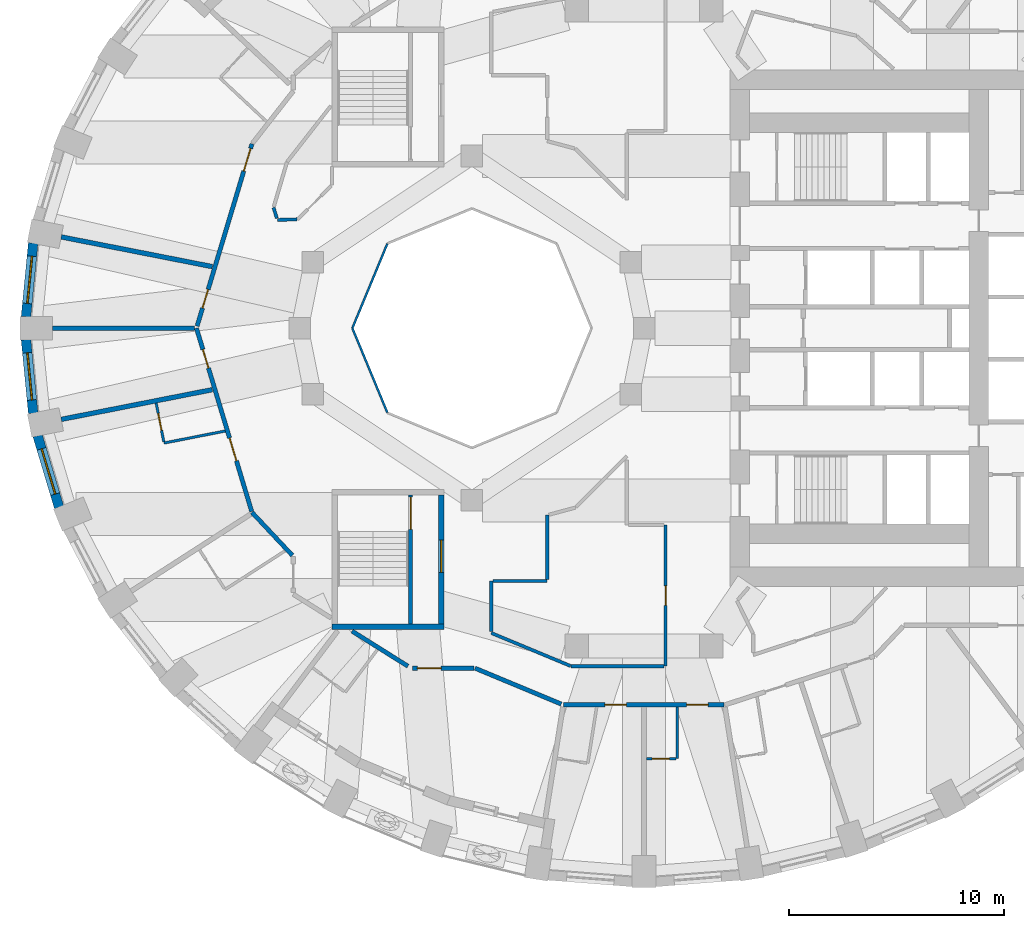
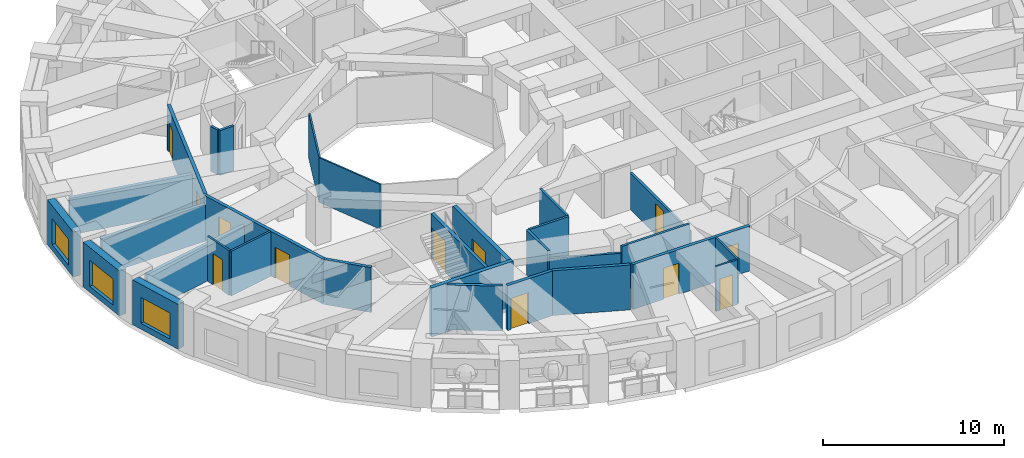
# One storey, part 4 of 13: 30 walls, 12 doors, 3 windows, 15 openings.
"""IFC4 building model written with IfcOpenShell, lengths in metres."""

from ifc_helpers import new_model, si_unit, direction, frame, frame_2d, origin, place, context, subcontext, project, spatial, rectangle, extrude, material, layer, layer_set, type_object, element, fill, save


model = new_model("IFC4")

# Units and contexts
model_context = context("Model", 3, precision=1e-05, world=origin(), true_north=direction((0.0, 1.0)))
body_context = subcontext(model_context, "Body", "Model", "MODEL_VIEW")
ifc_project = project(units=[si_unit("LENGTHUNIT", "METRE"), si_unit("AREAUNIT", "SQUARE_METRE"), si_unit("VOLUMEUNIT", "CUBIC_METRE"), si_unit("PLANEANGLEUNIT", "RADIAN"), si_unit("MASSUNIT", "GRAM", prefix="KILO")], contexts=[model_context])

# Site, building, storey
site_placement = place(None, origin())
site = spatial("IfcSite", under=ifc_project, at=site_placement, CompositionType="ELEMENT")
building_placement = place(site_placement, origin())
building = spatial("IfcBuilding", under=site, at=building_placement, Name="Taillehof Tower", CompositionType="ELEMENT")
storey_placement = place(building_placement, frame((0.0, 0.0, 44.800048828125)))
storey = spatial("IfcBuildingStorey", under=building, at=storey_placement, Name="L11", CompositionType="ELEMENT", Elevation=44.800048828125)

# Walls
ifc_material_1 = material(Name="Fire-resisting glass in steel frame", Category="steel")
ifc_layer_1 = layer(ifc_material_1, 0.10009765625)
ifc_layer_set_1 = layer_set([ifc_layer_1], Name="Atrium fire-resisting screen EI 60 100")
wall_type_1 = type_object("IfcWallType", Name="Atrium fire-resisting screen EI 60 100", PredefinedType="PARTITIONING", material=ifc_layer_set_1)
for number, where, z_axis, x_axis, name in (
    (1, (-11.92724609375, -3.92724609375, 0.0), (0.0, 0.0, 1.0), (-0.382730523909, 0.923860025149, 0.0), "Atrium screen"),
    (2, (-13.55419921875, 0.0, 0.0), (0.0, 0.0, 1.0), (0.382730523909, 0.923860025149, 0.0), "Atrium screen"),
):
    element("IfcWall", number, at=place(storey_placement, frame(where, z_axis=z_axis, x_axis=x_axis)), inside=storey, type_object=wall_type_1, Name=name, PredefinedType="PARTITIONING", context=body_context, shape_type="SweptSolid", body=[
        extrude(rectangle(XDim=4.2509765625, YDim=0.10009765625, at=frame_2d((2.12548828125, 0.0))), origin(), (0.0, 0.0, 1.0), 3.02001953125),
    ])

# Wall, opening, window
ifc_material_2 = material(Name="Brick masonry", Category="masonry")
ifc_layer_2 = layer(ifc_material_2, 0.449951171875)
ifc_layer_set_2 = layer_set([ifc_layer_2], Name="Brick infill wall 450")
wall_type_2 = type_object("IfcWallType", Name="Brick infill wall 450", PredefinedType="SOLIDWALL", material=ifc_layer_set_2)
wall_1_placement = place(storey_placement, frame((-28.38671875, 3.95556640625, 0.0), z_axis=(0.0, 0.0, 1.0), x_axis=(-0.097389581596, -0.995246336038, 0.0)))
wall_1 = element("IfcWall", 3, at=wall_1_placement, inside=storey, type_object=wall_type_2, Name="Brick wall L11 bay 18", PredefinedType="SOLIDWALL", context=body_context, shape_type="SweptSolid", body=[
    extrude(rectangle(XDim=3.44189453125, YDim=0.449951171875, at=frame_2d((1.720947265625, 0.0))), origin(), (0.0, 0.0, 1.0), 3.02001953125),
])
opening_1_placement = place(wall_1_placement, frame((0.62109375, 0.0, 0.39990234375)))
opening_1 = element("IfcOpeningElement", 4, at=opening_1_placement, cuts=wall_1, Name="Opening W1", PredefinedType="OPENING", context=body_context, shape_type="SweptSolid", body=[
    extrude(rectangle(XDim=2.199951171875, YDim=1.75, at=frame_2d((1.10009765625, 0.875))), frame((0.0, 0.23486328125, 0.0), z_axis=(0.0, -1.0, 0.0), x_axis=(1.0, 0.0, 0.0)), (0.0, 0.0, 1.0), 0.469970703125),
])
ifc_material_3 = material(Name="Aluminium window frame with clear double glazing", Category="aluminium")
window_type = type_object("IfcWindowType", Name="Deep-set window 2200x1750", PartitioningType="SINGLE_PANEL", PredefinedType="WINDOW", material=ifc_material_3)
window_1_placement = place(opening_1_placement, origin())
window_1 = element("IfcWindow", 5, at=window_1_placement, inside=storey, type_object=window_type, Name="W1", OverallHeight=1.75, OverallWidth=2.199951171875, PartitioningType="SINGLE_PANEL", PredefinedType="WINDOW", context=body_context, shape_type="SweptSolid", body=[
    extrude(rectangle(XDim=2.199951171875, YDim=1.75, at=frame_2d((1.10009765625, 0.875))), frame((0.0, 0.034912109375, 0.0), z_axis=(0.0, -1.0, 0.0), x_axis=(1.0, 0.0, 0.0)), (0.0, 0.0, 1.0), 0.06005859375),
])
fill(opening_1, window_1)

wall_2_placement = place(storey_placement, frame((-28.721923828125, -0.530029296875, 0.0), z_axis=(0.0, 0.0, 1.0), x_axis=(0.097389581596, -0.995246336038, 0.0)))
wall_2 = element("IfcWall", 6, at=wall_2_placement, inside=storey, type_object=wall_type_2, Name="Brick wall L11 bay 19", PredefinedType="SOLIDWALL", context=body_context, shape_type="SweptSolid", body=[
    extrude(rectangle(XDim=3.44189453125, YDim=0.449951171875, at=frame_2d((1.720947265625, 0.0))), origin(), (0.0, 0.0, 1.0), 3.02001953125),
])
opening_2_placement = place(wall_2_placement, frame((0.62109375, 0.0, 0.39990234375)))
opening_2 = element("IfcOpeningElement", 7, at=opening_2_placement, cuts=wall_2, Name="Opening W1", PredefinedType="OPENING", context=body_context, shape_type="SweptSolid", body=[
    extrude(rectangle(XDim=2.199951171875, YDim=1.75, at=frame_2d((1.10009765625, 0.875))), frame((0.0, 0.23486328125, 0.0), z_axis=(0.0, -1.0, 0.0), x_axis=(1.0, 0.0, 0.0)), (0.0, 0.0, 1.0), 0.469970703125),
])
window_2_placement = place(opening_2_placement, origin())
window_2 = element("IfcWindow", 8, at=window_2_placement, inside=storey, type_object=window_type, Name="W1", OverallHeight=1.75, OverallWidth=2.199951171875, PartitioningType="SINGLE_PANEL", PredefinedType="WINDOW", context=body_context, shape_type="SweptSolid", body=[
    extrude(rectangle(XDim=2.199951171875, YDim=1.75, at=frame_2d((1.10009765625, 0.875))), frame((0.0, 0.034912109375, 0.0), z_axis=(0.0, -1.0, 0.0), x_axis=(1.0, 0.0, 0.0)), (0.0, 0.0, 1.0), 0.06005859375),
])
fill(opening_2, window_2)

wall_3_placement = place(storey_placement, frame((-28.181884765625, -4.995849609375, 0.0), z_axis=(0.0, 0.0, 1.0), x_axis=(0.287064133733, -0.957911364963, 0.0)))
wall_3 = element("IfcWall", 9, at=wall_3_placement, inside=storey, type_object=wall_type_2, Name="Brick wall L11 bay 20", PredefinedType="SOLIDWALL", context=body_context, shape_type="SweptSolid", body=[
    extrude(rectangle(XDim=3.473388671875, YDim=0.449951171875, at=frame_2d((1.73681640625, 0.0))), origin(), (0.0, 0.0, 1.0), 3.02001953125),
])
opening_3_placement = place(wall_3_placement, frame((0.63671875, 0.0, 0.39990234375)))
opening_3 = element("IfcOpeningElement", 10, at=opening_3_placement, cuts=wall_3, Name="Opening W1", PredefinedType="OPENING", context=body_context, shape_type="SweptSolid", body=[
    extrude(rectangle(XDim=2.199951171875, YDim=1.75, at=frame_2d((1.10009765625, 0.875))), frame((0.0, 0.23486328125, 0.0), z_axis=(0.0, -1.0, 0.0), x_axis=(1.0, 0.0, 0.0)), (0.0, 0.0, 1.0), 0.469970703125),
])
window_3_placement = place(opening_3_placement, origin())
window_3 = element("IfcWindow", 11, at=window_3_placement, inside=storey, type_object=window_type, Name="W1", OverallHeight=1.75, OverallWidth=2.199951171875, PartitioningType="SINGLE_PANEL", PredefinedType="WINDOW", context=body_context, shape_type="SweptSolid", body=[
    extrude(rectangle(XDim=2.199951171875, YDim=1.75, at=frame_2d((1.10009765625, 0.875))), frame((0.0, 0.034912109375, 0.0), z_axis=(0.0, -1.0, 0.0), x_axis=(1.0, 0.0, 0.0)), (0.0, 0.0, 1.0), 0.06005859375),
])
fill(opening_3, window_3)

# Wall
ifc_material_4 = material(Name="Gypsum board on steel studs, two layers each side", Category="steel")
ifc_layer_3 = layer(ifc_material_4, 0.199951171875)
ifc_layer_set_3 = layer_set([ifc_layer_3], Name="Compartment wall corridor 200")
wall_type_3 = type_object("IfcWallType", Name="Compartment wall corridor 200", PredefinedType="PARTITIONING", material=ifc_layer_set_3)
wall_4_placement = place(storey_placement, frame((-16.341064453125, -10.5625, 0.0), z_axis=(0.0, 0.0, 1.0), x_axis=(-0.684393472021, 0.729112868803, 0.0)))
element("IfcWall", 12, at=wall_4_placement, inside=storey, type_object=wall_type_3, Name="Compartment wall", PredefinedType="PARTITIONING", context=body_context, shape_type="SweptSolid", body=[
    extrude(rectangle(XDim=2.74609375, YDim=0.199951171875, at=frame_2d((1.373046875, 0.0))), origin(), (0.0, 0.0, 1.0), 3.02001953125),
])

# Wall, openings, doors
wall_5_placement = place(storey_placement, frame((-18.232177734375, -8.522216796875, 0.0), z_axis=(0.0, 0.0, 1.0), x_axis=(-0.288502732396, 0.957479072043, 0.0)))
wall_5 = element("IfcWall", 13, at=wall_5_placement, inside=storey, type_object=wall_type_3, Name="Compartment wall", PredefinedType="PARTITIONING", context=body_context, shape_type="SweptSolid", body=[
    extrude(rectangle(XDim=8.900634765625, YDim=0.199951171875, at=frame_2d((4.4501953125, 0.0))), origin(), (0.0, 0.0, 1.0), 3.02001953125),
])
opening_4_placement = place(wall_5_placement, frame((6.96484375, 0.0, 0.0)))
opening_4 = element("IfcOpeningElement", 14, at=opening_4_placement, cuts=wall_5, Name="Opening D1151", PredefinedType="OPENING", context=body_context, shape_type="SweptSolid", body=[
    extrude(rectangle(XDim=0.89990234375, YDim=2.10009765625, at=frame_2d((0.449951171875, 1.050048828125))), frame((0.0, 0.10986328125, 0.0), z_axis=(0.0, -1.0, 0.0), x_axis=(1.0, 0.0, 0.0)), (0.0, 0.0, 1.0), 0.219970703125),
])
opening_5_placement = place(wall_5_placement, frame((2.46533203125, 0.0, 0.0)))
opening_5 = element("IfcOpeningElement", 15, at=opening_5_placement, cuts=wall_5, Name="Opening D1152", PredefinedType="OPENING", context=body_context, shape_type="SweptSolid", body=[
    extrude(rectangle(XDim=1.10009765625, YDim=2.10009765625, at=frame_2d((0.550048828125, 1.050048828125))), frame((0.0, 0.10986328125, 0.0), z_axis=(0.0, -1.0, 0.0), x_axis=(1.0, 0.0, 0.0)), (0.0, 0.0, 1.0), 0.219970703125),
])
ifc_material_5 = material(Name="Timber door leaf in steel frame", Category="steel")
door_type_1 = type_object("IfcDoorType", Name="Service room door EI 30 900 x 2100", OperationType="SINGLE_SWING_LEFT", PredefinedType="DOOR", material=ifc_material_5)
door_1_placement = place(opening_4_placement, origin())
door_1 = element("IfcDoor", 16, at=door_1_placement, inside=storey, type_object=door_type_1, Name="D1151", OperationType="SINGLE_SWING_LEFT", OverallHeight=2.10009765625, OverallWidth=0.89990234375, PredefinedType="DOOR", context=body_context, shape_type="SweptSolid", body=[
    extrude(rectangle(XDim=0.89990234375, YDim=2.10009765625, at=frame_2d((0.449951171875, 1.050048828125))), frame((0.0, 0.02490234375, 0.0), z_axis=(0.0, -1.0, 0.0), x_axis=(1.0, 0.0, 0.0)), (0.0, 0.0, 1.0), 0.050048828125),
])
fill(opening_4, door_1)
ifc_material_6 = material(Name="Timber door leaf in steel frame", Category="steel")
door_type_2 = type_object("IfcDoorType", Name="Suite entrance door EI 30 1100 x 2100", OperationType="SINGLE_SWING_LEFT", PredefinedType="DOOR", material=ifc_material_6)
door_2_placement = place(opening_5_placement, origin())
door_2 = element("IfcDoor", 17, at=door_2_placement, inside=storey, type_object=door_type_2, Name="D1152", OperationType="SINGLE_SWING_RIGHT", OverallHeight=2.10009765625, OverallWidth=1.10009765625, PredefinedType="DOOR", context=body_context, shape_type="SweptSolid", body=[
    extrude(rectangle(XDim=1.10009765625, YDim=2.10009765625, at=frame_2d((0.550048828125, 1.050048828125))), frame((0.0, 0.02490234375, 0.0), z_axis=(0.0, -1.0, 0.0), x_axis=(1.0, 0.0, 0.0)), (0.0, 0.0, 1.0), 0.050048828125),
])
fill(opening_5, door_2)

wall_6_placement = place(storey_placement, frame((-20.770751953125, 0.09521484375, 0.0), z_axis=(0.0, 0.0, 1.0), x_axis=(0.288464952331, 0.957490454927, 0.0)))
wall_6 = element("IfcWall", 18, at=wall_6_placement, inside=storey, type_object=wall_type_3, Name="Compartment wall", PredefinedType="PARTITIONING", context=body_context, shape_type="SweptSolid", body=[
    extrude(rectangle(XDim=8.8408203125, YDim=0.199951171875, at=frame_2d((4.42041015625, 0.0))), origin(), (0.0, 0.0, 1.0), 3.02001953125),
])
opening_6_placement = place(wall_6_placement, frame((7.52099609375, 0.0, 0.0)))
opening_6 = element("IfcOpeningElement", 19, at=opening_6_placement, cuts=wall_6, Name="Opening D1148", PredefinedType="OPENING", context=body_context, shape_type="SweptSolid", body=[
    extrude(rectangle(XDim=1.10009765625, YDim=2.10009765625, at=frame_2d((0.550048828125, 1.050048828125))), frame((0.0, 0.10986328125, 0.0), z_axis=(0.0, -1.0, 0.0), x_axis=(1.0, 0.0, 0.0)), (0.0, 0.0, 1.0), 0.219970703125),
])
opening_7_placement = place(wall_6_placement, frame((0.876708984375, 0.0, 0.0)))
opening_7 = element("IfcOpeningElement", 20, at=opening_7_placement, cuts=wall_6, Name="Opening D1150", PredefinedType="OPENING", context=body_context, shape_type="SweptSolid", body=[
    extrude(rectangle(XDim=0.89990234375, YDim=2.10009765625, at=frame_2d((0.449951171875, 1.050048828125))), frame((0.0, 0.10986328125, 0.0), z_axis=(0.0, -1.0, 0.0), x_axis=(1.0, 0.0, 0.0)), (0.0, 0.0, 1.0), 0.219970703125),
])
door_3_placement = place(opening_7_placement, origin())
door_3 = element("IfcDoor", 21, at=door_3_placement, inside=storey, type_object=door_type_1, Name="D1150", OperationType="SINGLE_SWING_LEFT", OverallHeight=2.10009765625, OverallWidth=0.89990234375, PredefinedType="DOOR", context=body_context, shape_type="SweptSolid", body=[
    extrude(rectangle(XDim=0.89990234375, YDim=2.10009765625, at=frame_2d((0.449951171875, 1.050048828125))), frame((0.0, 0.02490234375, 0.0), z_axis=(0.0, -1.0, 0.0), x_axis=(1.0, 0.0, 0.0)), (0.0, 0.0, 1.0), 0.050048828125),
])
fill(opening_7, door_3)
door_4_placement = place(opening_6_placement, origin())
door_4 = element("IfcDoor", 22, at=door_4_placement, inside=storey, type_object=door_type_2, Name="D1148", OperationType="SINGLE_SWING_RIGHT", OverallHeight=2.10009765625, OverallWidth=1.10009765625, PredefinedType="DOOR", context=body_context, shape_type="SweptSolid", body=[
    extrude(rectangle(XDim=1.10009765625, YDim=2.10009765625, at=frame_2d((0.550048828125, 1.050048828125))), frame((0.0, 0.02490234375, 0.0), z_axis=(0.0, -1.0, 0.0), x_axis=(1.0, 0.0, 0.0)), (0.0, 0.0, 1.0), 0.050048828125),
])
fill(opening_6, door_4)

wall_7_placement = place(storey_placement, frame((3.71533203125, -17.505615234375, 0.0), z_axis=(0.0, 0.0, 1.0), x_axis=(-1.0, 0.0, 0.0)))
wall_7 = element("IfcWall", 23, at=wall_7_placement, inside=storey, type_object=wall_type_3, Name="Compartment wall", PredefinedType="PARTITIONING", context=body_context, shape_type="SweptSolid", body=[
    extrude(rectangle(XDim=7.470703125, YDim=0.199951171875, at=frame_2d((3.7353515625, 0.0))), origin(), (0.0, 0.0, 1.0), 3.02001953125),
])
opening_8_placement = place(wall_7_placement, frame((4.537841796875, 0.0, 0.0)))
opening_8 = element("IfcOpeningElement", 24, at=opening_8_placement, cuts=wall_7, Name="Opening D1158", PredefinedType="OPENING", context=body_context, shape_type="SweptSolid", body=[
    extrude(rectangle(XDim=1.0, YDim=2.10009765625, at=frame_2d((0.5, 1.050048828125))), frame((0.0, 0.10986328125, 0.0), z_axis=(0.0, -1.0, 0.0), x_axis=(1.0, 0.0, 0.0)), (0.0, 0.0, 1.0), 0.219970703125),
])
opening_9_placement = place(wall_7_placement, frame((0.743408203125, 0.0, 0.0)))
opening_9 = element("IfcOpeningElement", 25, at=opening_9_placement, cuts=wall_7, Name="Opening D1160", PredefinedType="OPENING", context=body_context, shape_type="SweptSolid", body=[
    extrude(rectangle(XDim=1.0, YDim=2.10009765625, at=frame_2d((0.5, 1.050048828125))), frame((0.0, 0.10986328125, 0.0), z_axis=(0.0, -1.0, 0.0), x_axis=(1.0, 0.0, 0.0)), (0.0, 0.0, 1.0), 0.219970703125),
])
ifc_material_7 = material(Name="Timber door leaf in steel frame", Category="steel")
door_type_3 = type_object("IfcDoorType", Name="Guest room door EI 30 1000 x 2100", OperationType="SINGLE_SWING_LEFT", PredefinedType="DOOR", material=ifc_material_7)
door_5_placement = place(opening_8_placement, origin())
door_5 = element("IfcDoor", 26, at=door_5_placement, inside=storey, type_object=door_type_3, Name="D1158", OperationType="SINGLE_SWING_RIGHT", OverallHeight=2.10009765625, OverallWidth=1.0, PredefinedType="DOOR", context=body_context, shape_type="SweptSolid", body=[
    extrude(rectangle(XDim=1.0, YDim=2.10009765625, at=frame_2d((0.5, 1.050048828125))), frame((0.0, 0.02490234375, 0.0), z_axis=(0.0, -1.0, 0.0), x_axis=(1.0, 0.0, 0.0)), (0.0, 0.0, 1.0), 0.050048828125),
])
fill(opening_8, door_5)
door_6_placement = place(opening_9_placement, origin())
door_6 = element("IfcDoor", 27, at=door_6_placement, inside=storey, type_object=door_type_3, Name="D1160", OperationType="SINGLE_SWING_RIGHT", OverallHeight=2.10009765625, OverallWidth=1.0, PredefinedType="DOOR", context=body_context, shape_type="SweptSolid", body=[
    extrude(rectangle(XDim=1.0, YDim=2.10009765625, at=frame_2d((0.5, 1.050048828125))), frame((0.0, 0.02490234375, 0.0), z_axis=(0.0, -1.0, 0.0), x_axis=(1.0, 0.0, 0.0)), (0.0, 0.0, 1.0), 0.050048828125),
])
fill(opening_9, door_6)

# Wall
wall_8_placement = place(storey_placement, frame((-3.84814453125, -17.4677734375, 0.0), z_axis=(0.0, 0.0, 1.0), x_axis=(-0.923248226412, 0.384203998454, 0.0)))
element("IfcWall", 28, at=wall_8_placement, inside=storey, type_object=wall_type_3, Name="Compartment wall", PredefinedType="PARTITIONING", context=body_context, shape_type="SweptSolid", body=[
    extrude(rectangle(XDim=4.3408203125, YDim=0.199951171875, at=frame_2d((2.17041015625, 0.0))), origin(), (0.0, 0.0, 1.0), 3.02001953125),
])

# Wall, opening, door
wall_9_placement = place(storey_placement, frame((-7.895751953125, -15.800048828125, 0.0), z_axis=(0.0, 0.0, 1.0), x_axis=(-1.0, 0.0, 0.0)))
wall_9 = element("IfcWall", 29, at=wall_9_placement, inside=storey, type_object=wall_type_3, Name="Compartment wall", PredefinedType="PARTITIONING", context=body_context, shape_type="SweptSolid", body=[
    extrude(rectangle(XDim=2.857666015625, YDim=0.199951171875, at=frame_2d((1.4287109375, 0.0))), origin(), (0.0, 0.0, 1.0), 3.02001953125),
])
opening_10_placement = place(wall_9_placement, frame((1.53759765625, 0.0, 0.0)))
opening_10 = element("IfcOpeningElement", 30, at=opening_10_placement, cuts=wall_9, Name="Opening D1156", PredefinedType="OPENING", context=body_context, shape_type="SweptSolid", body=[
    extrude(rectangle(XDim=1.10009765625, YDim=2.10009765625, at=frame_2d((0.550048828125, 1.050048828125))), frame((0.0, 0.10986328125, 0.0), z_axis=(0.0, -1.0, 0.0), x_axis=(1.0, 0.0, 0.0)), (0.0, 0.0, 1.0), 0.219970703125),
])
door_7_placement = place(opening_10_placement, origin())
door_7 = element("IfcDoor", 31, at=door_7_placement, inside=storey, type_object=door_type_2, Name="D1156", OperationType="SINGLE_SWING_LEFT", OverallHeight=2.10009765625, OverallWidth=1.10009765625, PredefinedType="DOOR", context=body_context, shape_type="SweptSolid", body=[
    extrude(rectangle(XDim=1.10009765625, YDim=2.10009765625, at=frame_2d((0.550048828125, 1.050048828125))), frame((0.0, 0.02490234375, 0.0), z_axis=(0.0, -1.0, 0.0), x_axis=(1.0, 0.0, 0.0)), (0.0, 0.0, 1.0), 0.050048828125),
])
fill(opening_10, door_7)

# Walls
wall_10_placement = place(storey_placement, frame((-10.972412109375, -15.70849609375, 0.0), z_axis=(0.0, 0.0, 1.0), x_axis=(-0.846954991261, 0.53166459613, 0.0)))
element("IfcWall", 32, at=wall_10_placement, inside=storey, type_object=wall_type_3, Name="Compartment wall", PredefinedType="PARTITIONING", context=body_context, shape_type="SweptSolid", body=[
    extrude(rectangle(XDim=3.06787109375, YDim=0.199951171875, at=frame_2d((1.533935546875, 0.0))), origin(), (0.0, 0.0, 1.0), 3.02001953125),
])
ifc_material_8 = material(Name="Gypsum board on double steel studs with mineral wool", Category="steel")
ifc_layer_4 = layer(ifc_material_8, 0.219970703125)
ifc_layer_set_4 = layer_set([ifc_layer_4], Name="Compartment wall guest room 220")
wall_type_4 = type_object("IfcWallType", Name="Compartment wall guest room 220", PredefinedType="PARTITIONING", material=ifc_layer_set_4)
wall_11_placement = place(storey_placement, frame((-27.0849609375, 4.239990234375, 0.0), z_axis=(0.0, 0.0, 1.0), x_axis=(0.981197740145, -0.193005167635, 0.0)))
element("IfcWall", 33, at=wall_11_placement, inside=storey, type_object=wall_type_4, Name="Compartment wall", PredefinedType="PARTITIONING", context=body_context, shape_type="SweptSolid", body=[
    extrude(rectangle(XDim=7.15576171875, YDim=0.219970703125, at=frame_2d((3.577880859375, 0.0))), origin(), (0.0, 0.0, 1.0), 2.469970703125),
])
wall_12_placement = place(storey_placement, frame((-27.5, 0.0, 0.0), z_axis=(0.0, 0.0, 1.0), x_axis=(1.0, 0.0, 0.0)))
element("IfcWall", 34, at=wall_12_placement, inside=storey, type_object=wall_type_4, Name="Compartment wall", PredefinedType="PARTITIONING", context=body_context, shape_type="SweptSolid", body=[
    extrude(rectangle(XDim=6.599853515625, YDim=0.219970703125, at=frame_2d((3.2998046875, 0.0))), origin(), (0.0, 0.0, 1.0), 2.469970703125),
])
wall_13_placement = place(storey_placement, frame((-27.0849609375, -4.239990234375, 0.0), z_axis=(0.0, 0.0, 1.0), x_axis=(0.981197740145, 0.193005167635, 0.0)))
element("IfcWall", 35, at=wall_13_placement, inside=storey, type_object=wall_type_4, Name="Compartment wall", PredefinedType="PARTITIONING", context=body_context, shape_type="SweptSolid", body=[
    extrude(rectangle(XDim=7.15576171875, YDim=0.219970703125, at=frame_2d((3.577880859375, 0.0))), origin(), (0.0, 0.0, 1.0), 2.469970703125),
])
ifc_material_9 = material(Name="Gypsum board on steel studs, two layers each side", Category="steel")
ifc_layer_5 = layer(ifc_material_9, 0.14990234375)
ifc_layer_set_5 = layer_set([ifc_layer_5], Name="Compartment wall service room 150")
wall_type_5 = type_object("IfcWallType", Name="Compartment wall service room 150", PredefinedType="PARTITIONING", material=ifc_layer_set_5)
wall_14_placement = place(storey_placement, frame((-16.13427734375, 5.056884765625, 0.0), z_axis=(0.0, 0.0, 1.0), x_axis=(-0.999529504487, -0.030671968644, 0.0)))
element("IfcWall", 36, at=wall_14_placement, inside=storey, type_object=wall_type_5, Name="Compartment wall", PredefinedType="PARTITIONING", context=body_context, shape_type="SweptSolid", body=[
    extrude(rectangle(XDim=0.907470703125, YDim=0.14990234375, at=frame_2d((0.45361328125, 0.0))), origin(), (0.0, 0.0, 1.0), 3.02001953125),
])
wall_15_placement = place(storey_placement, frame((-17.064697265625, 5.105224609375, 0.0), z_axis=(0.0, 0.0, 1.0), x_axis=(-0.291495658108, 0.956572151646, 0.0)))
element("IfcWall", 37, at=wall_15_placement, inside=storey, type_object=wall_type_5, Name="Compartment wall", PredefinedType="PARTITIONING", context=body_context, shape_type="SweptSolid", body=[
    extrude(rectangle(XDim=0.5234375, YDim=0.14990234375, at=frame_2d((0.26171875, 0.0))), origin(), (0.0, 0.0, 1.0), 3.02001953125),
])

# Wall, opening, door
wall_16_placement = place(storey_placement, frame((1.0, -9.14990234375, 0.0), z_axis=(0.0, 0.0, 1.0), x_axis=(0.0, -1.0, 0.0)))
wall_16 = element("IfcWall", 38, at=wall_16_placement, inside=storey, type_object=wall_type_5, Name="Compartment wall", PredefinedType="PARTITIONING", context=body_context, shape_type="SweptSolid", body=[
    extrude(rectangle(XDim=6.5556640625, YDim=0.14990234375, at=frame_2d((3.27783203125, 0.0))), origin(), (0.0, 0.0, 1.0), 2.469970703125),
])
opening_11_placement = place(wall_16_placement, frame((2.827880859375, 0.0, 0.0)))
opening_11 = element("IfcOpeningElement", 39, at=opening_11_placement, cuts=wall_16, Name="Opening D1173", PredefinedType="OPENING", context=body_context, shape_type="SweptSolid", body=[
    extrude(rectangle(XDim=0.89990234375, YDim=2.10009765625, at=frame_2d((0.449951171875, 1.050048828125))), frame((0.0, 0.0849609375, 0.0), z_axis=(0.0, -1.0, 0.0), x_axis=(1.0, 0.0, 0.0)), (0.0, 0.0, 1.0), 0.169921875),
])
door_8_placement = place(opening_11_placement, origin())
door_8 = element("IfcDoor", 40, at=door_8_placement, inside=storey, type_object=door_type_1, Name="D1173", OperationType="SINGLE_SWING_LEFT", OverallHeight=2.10009765625, OverallWidth=0.89990234375, PredefinedType="DOOR", context=body_context, shape_type="SweptSolid", body=[
    extrude(rectangle(XDim=0.89990234375, YDim=2.10009765625, at=frame_2d((0.449951171875, 1.050048828125))), frame((0.0, 0.02490234375, 0.0), z_axis=(0.0, -1.0, 0.0), x_axis=(1.0, 0.0, 0.0)), (0.0, 0.0, 1.0), 0.050048828125),
])
fill(opening_11, door_8)

# Walls
wall_17_placement = place(storey_placement, frame((0.919921875, -15.70556640625, 0.0), z_axis=(0.0, 0.0, 1.0), x_axis=(-1.0, 0.0, 0.0)))
element("IfcWall", 41, at=wall_17_placement, inside=storey, type_object=wall_type_5, Name="Compartment wall", PredefinedType="PARTITIONING", context=body_context, shape_type="SweptSolid", body=[
    extrude(rectangle(XDim=4.31591796875, YDim=0.14990234375, at=frame_2d((2.157958984375, 0.0))), origin(), (0.0, 0.0, 1.0), 3.02001953125),
])
wall_18_placement = place(storey_placement, frame((-3.41455078125, -15.697998046875, 0.0), z_axis=(0.0, 0.0, 1.0), x_axis=(-0.923293917367, 0.38409418396, 0.0)))
element("IfcWall", 42, at=wall_18_placement, inside=storey, type_object=wall_type_5, Name="Compartment wall", PredefinedType="PARTITIONING", context=body_context, shape_type="SweptSolid", body=[
    extrude(rectangle(XDim=3.99169921875, YDim=0.14990234375, at=frame_2d((1.995849609375, 0.0))), origin(), (0.0, 0.0, 1.0), 2.570068359375),
])
wall_19_placement = place(storey_placement, frame((-7.10009765625, -14.104736328125, 0.0), z_axis=(0.0, 0.0, 1.0), x_axis=(0.0, 1.0, 0.0)))
element("IfcWall", 43, at=wall_19_placement, inside=storey, type_object=wall_type_5, Name="Compartment wall", PredefinedType="PARTITIONING", context=body_context, shape_type="SweptSolid", body=[
    extrude(rectangle(XDim=2.354736328125, YDim=0.14990234375, at=frame_2d((1.17724609375, 0.0))), origin(), (0.0, 0.0, 1.0), 3.02001953125),
])
wall_20_placement = place(storey_placement, frame((-7.02001953125, -11.75, 0.0), z_axis=(0.0, 0.0, 1.0), x_axis=(1.0, 0.0, 0.0)))
element("IfcWall", 44, at=wall_20_placement, inside=storey, type_object=wall_type_5, Name="Compartment wall", PredefinedType="PARTITIONING", context=body_context, shape_type="SweptSolid", body=[
    extrude(rectangle(XDim=2.52001953125, YDim=0.14990234375, at=frame_2d((1.260009765625, 0.0))), origin(), (0.0, 0.0, 1.0), 3.02001953125),
])
wall_21_placement = place(storey_placement, frame((-4.5, -11.669921875, 0.0), z_axis=(0.0, 0.0, 1.0), x_axis=(0.0, 1.0, 0.0)))
element("IfcWall", 45, at=wall_21_placement, inside=storey, type_object=wall_type_5, Name="Compartment wall", PredefinedType="PARTITIONING", context=body_context, shape_type="SweptSolid", body=[
    extrude(rectangle(XDim=2.979736328125, YDim=0.14990234375, at=frame_2d((1.48974609375, 0.0))), origin(), (0.0, 0.0, 1.0), 3.02001953125),
])
ifc_material_10 = material(Name="Gypsum board on steel studs, moisture resistant", Category="steel")
ifc_layer_6 = layer(ifc_material_10, 0.1201171875)
ifc_layer_set_6 = layer_set([ifc_layer_6], Name="En-suite wall 120")
wall_type_6 = type_object("IfcWallType", Name="En-suite wall 120", PredefinedType="PARTITIONING", material=ifc_layer_set_6)
wall_22_placement = place(storey_placement, frame((-19.46435546875, -4.779296875, 0.0), z_axis=(0.0, 0.0, 1.0), x_axis=(-0.981185297697, -0.193068411666, 0.0)))
element("IfcWall", 46, at=wall_22_placement, inside=storey, type_object=wall_type_6, Name="En-suite wall", PredefinedType="PARTITIONING", context=body_context, shape_type="SweptSolid", body=[
    extrude(rectangle(XDim=2.89697265625, YDim=0.1201171875, at=frame_2d((1.448486328125, 0.0))), origin(), (0.0, 0.0, 1.0), 3.02001953125),
])
wall_23_placement = place(storey_placement, frame((1.550048828125, -17.605712890625, 0.0), z_axis=(0.0, 0.0, 1.0), x_axis=(0.0, -1.0, 0.0)))
element("IfcWall", 47, at=wall_23_placement, inside=storey, type_object=wall_type_6, Name="En-suite wall", PredefinedType="PARTITIONING", context=body_context, shape_type="SweptSolid", body=[
    extrude(rectangle(XDim=2.39990234375, YDim=0.1201171875, at=frame_2d((1.199951171875, 0.0))), origin(), (0.0, 0.0, 1.0), 3.02001953125),
])

# Wall, opening, door
wall_24_placement = place(storey_placement, frame((-22.318359375, -5.27978515625, 0.0), z_axis=(0.0, 0.0, 1.0), x_axis=(-0.193036598643, 0.981191557029, 0.0)))
wall_24 = element("IfcWall", 48, at=wall_24_placement, inside=storey, type_object=wall_type_6, Name="En-suite wall", PredefinedType="PARTITIONING", context=body_context, shape_type="SweptSolid", body=[
    extrude(rectangle(XDim=1.830078125, YDim=0.1201171875, at=frame_2d((0.9150390625, 0.0))), origin(), (0.0, 0.0, 1.0), 3.02001953125),
])
opening_12_placement = place(wall_24_placement, frame((0.540283203125, 0.0, 0.0)))
opening_12 = element("IfcOpeningElement", 49, at=opening_12_placement, cuts=wall_24, Name="Opening D1153", PredefinedType="OPENING", context=body_context, shape_type="SweptSolid", body=[
    extrude(rectangle(XDim=0.800048828125, YDim=2.10009765625, at=frame_2d((0.39990234375, 1.050048828125))), frame((0.0, 0.070068359375, 0.0), z_axis=(0.0, -1.0, 0.0), x_axis=(1.0, 0.0, 0.0)), (0.0, 0.0, 1.0), 0.14013671875),
])
ifc_material_11 = material(Name="Timber door leaf in steel frame", Category="steel")
door_type_4 = type_object("IfcDoorType", Name="En-suite door 800 x 2100", OperationType="SINGLE_SWING_LEFT", PredefinedType="DOOR", material=ifc_material_11)
door_9_placement = place(opening_12_placement, origin())
door_9 = element("IfcDoor", 50, at=door_9_placement, inside=storey, type_object=door_type_4, Name="D1153", OperationType="SINGLE_SWING_RIGHT", OverallHeight=2.10009765625, OverallWidth=0.800048828125, PredefinedType="DOOR", context=body_context, shape_type="SweptSolid", body=[
    extrude(rectangle(XDim=0.800048828125, YDim=2.10009765625, at=frame_2d((0.39990234375, 1.050048828125))), frame((0.0, 0.02490234375, 0.0), z_axis=(0.0, -1.0, 0.0), x_axis=(1.0, 0.0, 0.0)), (0.0, 0.0, 1.0), 0.050048828125),
])
fill(opening_12, door_9)

wall_25_placement = place(storey_placement, frame((1.489990234375, -20.005615234375, 0.0), z_axis=(0.0, 0.0, 1.0), x_axis=(-1.0, 0.0, 0.0)))
wall_25 = element("IfcWall", 51, at=wall_25_placement, inside=storey, type_object=wall_type_6, Name="En-suite wall", PredefinedType="PARTITIONING", context=body_context, shape_type="SweptSolid", body=[
    extrude(rectangle(XDim=1.3798828125, YDim=0.1201171875, at=frame_2d((0.68994140625, 0.0))), origin(), (0.0, 0.0, 1.0), 3.02001953125),
])
opening_13_placement = place(wall_25_placement, frame((0.31494140625, 0.0, 0.0)))
opening_13 = element("IfcOpeningElement", 52, at=opening_13_placement, cuts=wall_25, Name="Opening D1161", PredefinedType="OPENING", context=body_context, shape_type="SweptSolid", body=[
    extrude(rectangle(XDim=0.800048828125, YDim=2.10009765625, at=frame_2d((0.39990234375, 1.050048828125))), frame((0.0, 0.070068359375, 0.0), z_axis=(0.0, -1.0, 0.0), x_axis=(1.0, 0.0, 0.0)), (0.0, 0.0, 1.0), 0.14013671875),
])
door_10_placement = place(opening_13_placement, origin())
door_10 = element("IfcDoor", 53, at=door_10_placement, inside=storey, type_object=door_type_4, Name="D1161", OperationType="SINGLE_SWING_RIGHT", OverallHeight=2.10009765625, OverallWidth=0.800048828125, PredefinedType="DOOR", context=body_context, shape_type="SweptSolid", body=[
    extrude(rectangle(XDim=0.800048828125, YDim=2.10009765625, at=frame_2d((0.39990234375, 1.050048828125))), frame((0.0, 0.02490234375, 0.0), z_axis=(0.0, -1.0, 0.0), x_axis=(1.0, 0.0, 0.0)), (0.0, 0.0, 1.0), 0.050048828125),
])
fill(opening_13, door_10)

ifc_material_12 = material(Name="Concrete C50/60", Category="concrete")
ifc_layer_7 = layer(ifc_material_12, 0.199951171875)
ifc_layer_set_7 = layer_set([ifc_layer_7], Name="Shaft wall C50/60 200")
wall_type_7 = type_object("IfcWallType", Name="Shaft wall C50/60 200", PredefinedType="SHEAR", material=ifc_layer_set_7)
wall_26_placement = place(storey_placement, frame((-10.85009765625, -13.75, 0.0), z_axis=(0.0, 0.0, 1.0), x_axis=(0.0, 1.0, 0.0)))
wall_26 = element("IfcWall", 54, at=wall_26_placement, inside=storey, type_object=wall_type_7, Name="Shaft wall SW", PredefinedType="SHEAR", context=body_context, shape_type="SweptSolid", body=[
    extrude(rectangle(XDim=6.0, YDim=0.199951171875, at=frame_2d((3.0, 0.0))), origin(), (0.0, 0.0, 1.0), 3.02001953125),
])
opening_14_placement = place(wall_26_placement, frame((4.39990234375, 0.0, 0.0)))
opening_14 = element("IfcOpeningElement", 55, at=opening_14_placement, cuts=wall_26, Name="Opening D1113", PredefinedType="OPENING", context=body_context, shape_type="SweptSolid", body=[
    extrude(rectangle(XDim=1.5, YDim=2.10009765625, at=frame_2d((0.75, 1.050048828125))), frame((0.0, 0.10986328125, 0.0), z_axis=(0.0, -1.0, 0.0), x_axis=(1.0, 0.0, 0.0)), (0.0, 0.0, 1.0), 0.219970703125),
])
ifc_material_13 = material(Name="Steel-faced fire door", Category="steel")
door_type_5 = type_object("IfcDoorType", Name="Stair door 1500x2100", OperationType="DOUBLE_DOOR_SINGLE_SWING", PredefinedType="DOOR", material=ifc_material_13)
door_11_placement = place(opening_14_placement, origin())
door_11 = element("IfcDoor", 56, at=door_11_placement, inside=storey, type_object=door_type_5, Name="Stair lobby door S4", OperationType="DOUBLE_DOOR_SINGLE_SWING", OverallHeight=2.10009765625, OverallWidth=1.5, PredefinedType="DOOR", context=body_context, shape_type="SweptSolid", body=[
    extrude(rectangle(XDim=1.5, YDim=2.10009765625, at=frame_2d((0.75, 1.050048828125))), frame((0.0, 0.02490234375, 0.0), z_axis=(0.0, -1.0, 0.0), x_axis=(1.0, 0.0, 0.0)), (0.0, 0.0, 1.0), 0.050048828125),
])
fill(opening_14, door_11)

ifc_material_14 = material(Name="Concrete C50/60", Category="concrete")
ifc_layer_8 = layer(ifc_material_14, 0.25)
ifc_layer_set_8 = layer_set([ifc_layer_8], Name="Stair wall C50/60 250")
wall_type_8 = type_object("IfcWallType", Name="Stair wall C50/60 250", PredefinedType="SHEAR", material=ifc_layer_set_8)
wall_27_placement = place(storey_placement, frame((-9.425048828125, -13.75, -0.280029296875), z_axis=(0.0, 0.0, 1.0), x_axis=(0.0, 1.0, 0.0)))
wall_27 = element("IfcWall", 57, at=wall_27_placement, inside=storey, type_object=wall_type_8, Name="Stair wall SC", PredefinedType="SHEAR", context=body_context, shape_type="SweptSolid", body=[
    extrude(rectangle(XDim=6.0, YDim=0.25, at=frame_2d((3.0, 0.0))), origin(), (0.0, 0.0, 1.0), 3.300048828125),
])
opening_15_placement = place(wall_27_placement, frame((2.39990234375, 0.0, 0.280029296875)))
opening_15 = element("IfcOpeningElement", 58, at=opening_15_placement, cuts=wall_27, Name="Opening D1120", PredefinedType="OPENING", context=body_context, shape_type="SweptSolid", body=[
    extrude(rectangle(XDim=1.5, YDim=2.10009765625, at=frame_2d((0.75, 1.050048828125))), frame((0.0, 0.135009765625, 0.0), z_axis=(0.0, -1.0, 0.0), x_axis=(1.0, 0.0, 0.0)), (0.0, 0.0, 1.0), 0.27001953125),
])
door_12_placement = place(opening_15_placement, origin())
door_12 = element("IfcDoor", 59, at=door_12_placement, inside=storey, type_object=door_type_5, Name="Stair door S4", OperationType="DOUBLE_DOOR_SINGLE_SWING", OverallHeight=2.10009765625, OverallWidth=1.5, PredefinedType="DOOR", context=body_context, shape_type="SweptSolid", body=[
    extrude(rectangle(XDim=1.5, YDim=2.10009765625, at=frame_2d((0.75, 1.050048828125))), frame((0.0, 0.02490234375, 0.0), z_axis=(0.0, -1.0, 0.0), x_axis=(1.0, 0.0, 0.0)), (0.0, 0.0, 1.0), 0.050048828125),
])
fill(opening_15, door_12)

# Wall
wall_28_placement = place(storey_placement, frame((-14.5, -13.875, -0.280029296875), z_axis=(0.0, 0.0, 1.0), x_axis=(1.0, 0.0, 0.0)))
element("IfcWall", 60, at=wall_28_placement, inside=storey, type_object=wall_type_8, Name="Stair wall SC", PredefinedType="SHEAR", context=body_context, shape_type="SweptSolid", body=[
    extrude(rectangle(XDim=5.199951171875, YDim=0.25, at=frame_2d((2.60009765625, 0.0))), origin(), (0.0, 0.0, 1.0), 3.300048828125),
])

save(model, "model.ifc")
